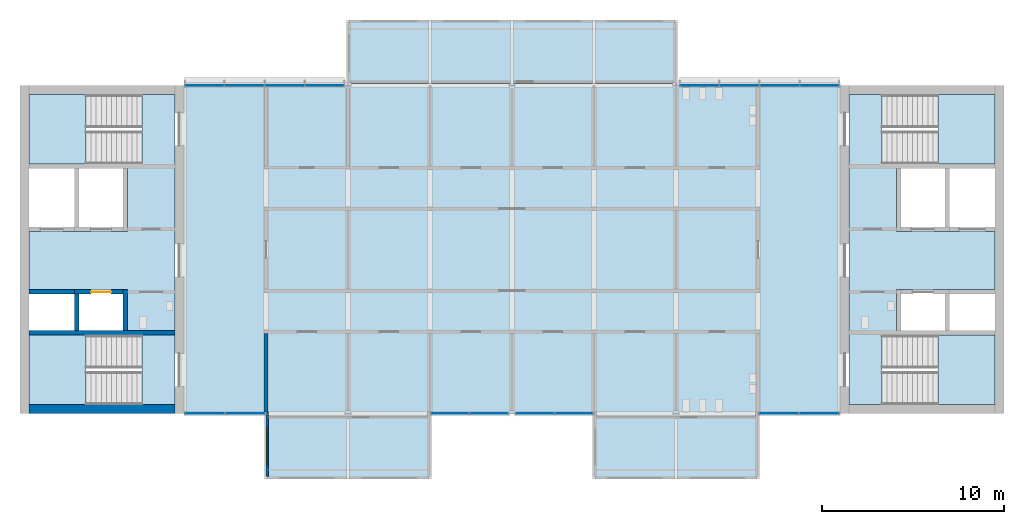
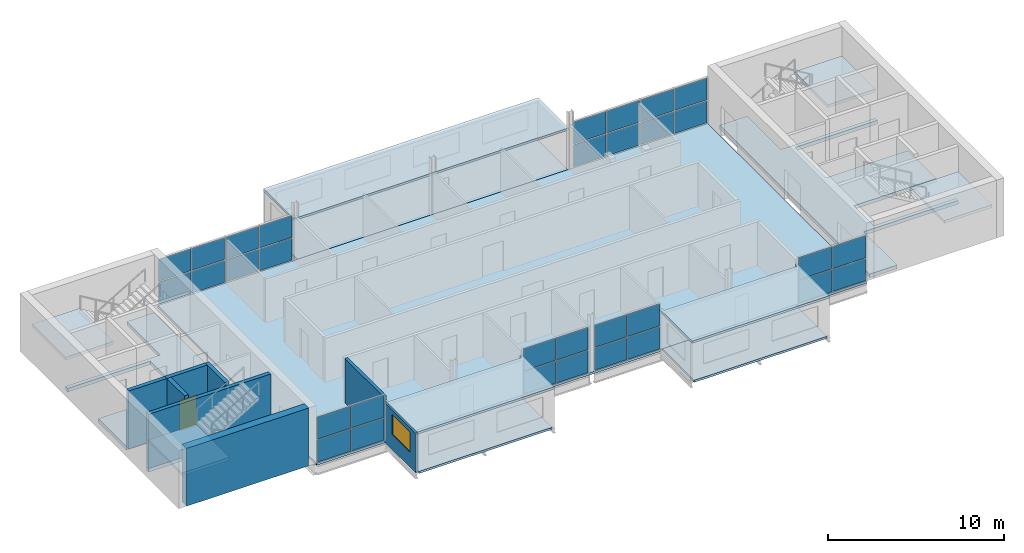
# One storey, part 4 of 10: 32 plates, 13 slabs, 8 walls, 1 door, 1 window, 2 openings, 10 elements without a shape of their own.
"""IFC4 building model written with IfcOpenShell, lengths in metres."""

from ifc_helpers import new_model, si_unit, direction, frame, frame_2d, origin, origin_2d, place, context, subcontext, project, spatial, polyline, rectangle, outline, extrude, material, layer, layer_set, type_object, element, fill, aggregate, save


model = new_model("IFC4")

# Units and contexts
model_context = context("Model", 3, precision=1e-05, world=origin(), true_north=direction((0.0, 1.0)))
body_context = subcontext(model_context, "Body", "Model", "MODEL_VIEW")
ifc_project = project(units=[si_unit("LENGTHUNIT", "METRE"), si_unit("AREAUNIT", "SQUARE_METRE"), si_unit("VOLUMEUNIT", "CUBIC_METRE"), si_unit("PLANEANGLEUNIT", "RADIAN"), si_unit("MASSUNIT", "GRAM", prefix="KILO")], contexts=[model_context])

# Site, building, storey
site_placement = place(None, origin())
site = spatial("IfcSite", under=ifc_project, at=site_placement, CompositionType="ELEMENT")
building_placement = place(site_placement, origin())
building = spatial("IfcBuilding", under=site, at=building_placement, Name="Corbel Yard City Hall", CompositionType="ELEMENT")
storey_placement = place(building_placement, frame((0.0, 0.0, 63.199951171875)))
storey = spatial("IfcBuildingStorey", under=building, at=storey_placement, Name="L15", CompositionType="ELEMENT", Elevation=63.199951171875)

# Slabs
ifc_material_1 = material(Name="Concrete N40 (40 MPa)", Category="concrete")
ifc_layer_1 = layer(ifc_material_1, 0.25)
ifc_layer_set_1 = layer_set([ifc_layer_1], Name="Concrete N40 (40 MPa)")
slab_type_1 = type_object("IfcSlabType", Name="CF1", PredefinedType="FLOOR", material=ifc_layer_set_1)
slab_1_placement = place(storey_placement, frame((0.0, 0.0, -0.25)))
element("IfcSlab", 1, at=slab_1_placement, inside=storey, type_object=slab_type_1, Name="Core floor slab", PredefinedType="FLOOR", context=body_context, shape_type="SweptSolid", body=[
    extrude(outline(polyline([(8.5, 116.5), (6.698974609375, 116.5), (6.698974609375, 112.699951171875), (0.5, 112.699951171875), (0.5, 112.449951171875), (5.89990234375, 112.449951171875), (5.89990234375, 109.0), (0.5, 109.0), (0.5, 105.800048828125), (5.89990234375, 105.800048828125), (5.89990234375, 103.550048828125), (0.5, 103.550048828125), (0.5, 103.300048828125), (6.698974609375, 103.300048828125), (6.698974609375, 99.5), (8.5, 99.5), (8.5, 116.5)])), origin(), (0.0, 0.0, 1.0), 0.25),
])
slab_2_placement = place(storey_placement, frame((0.0, 0.0, -0.25)))
element("IfcSlab", 2, at=slab_2_placement, inside=storey, type_object=slab_type_1, Name="Core floor slab", PredefinedType="FLOOR", context=body_context, shape_type="SweptSolid", body=[
    extrude(outline(polyline([(53.5, 103.300048828125), (53.5, 103.550048828125), (48.10009765625, 103.550048828125), (48.10009765625, 105.800048828125), (53.5, 105.800048828125), (53.5, 109.0), (48.10009765625, 109.0), (48.10009765625, 112.449951171875), (53.5, 112.449951171875), (53.5, 112.699951171875), (47.301025390625, 112.699951171875), (47.301025390625, 116.5), (45.5, 116.5), (45.5, 99.5), (47.301025390625, 99.5), (47.301025390625, 103.300048828125), (53.5, 103.300048828125)])), origin(), (0.0, 0.0, 1.0), 0.25),
])
ifc_layer_2 = layer(ifc_material_1, 0.14990234375)
ifc_layer_set_2 = layer_set([ifc_layer_2], Name="Concrete N40 (40 MPa)")
slab_type_2 = type_object("IfcSlabType", Name="Floor slab 150", PredefinedType="FLOOR", material=ifc_layer_set_2)
slab_3_placement = place(storey_placement, frame((0.0, 0.0, -0.14990234375)))
element("IfcSlab", 3, at=slab_3_placement, inside=storey, type_object=slab_type_2, Name="Tower floor slab L15", PredefinedType="FLOOR", context=body_context, shape_type="SweptSolid", body=[
    extrude(outline(polyline([(45.0, 99.0), (45.0, 117.0), (9.0, 117.0), (9.0, 99.0), (45.0, 99.0)])), origin(), (0.0, 0.0, 1.0), 0.14990234375),
])

# Stair, slab
stair_type = type_object("IfcStairType", Name="ST4", PredefinedType="HALF_TURN_STAIR", material=ifc_material_1)
stair_1_placement = place(storey_placement, origin())
stair_1 = element("IfcStair", 4, at=stair_1_placement, inside=storey, type_object=stair_type, Name="Exit stair ST-W1 L15", PredefinedType="HALF_TURN_STAIR")
ifc_layer_3 = layer(ifc_material_1, 0.199951171875)
ifc_layer_set_3 = layer_set([ifc_layer_3], Name="Concrete N40 (40 MPa)")
slab_type_3 = type_object("IfcSlabType", Name="LN1", PredefinedType="LANDING", material=ifc_layer_set_3)
slab_4_placement = place(storey_placement, frame((0.0, 0.0, 1.800048828125)))
slab_4 = element("IfcSlab", 5, at=slab_4_placement, type_object=slab_type_3, Name="ST-W1 landing 1", PredefinedType="LANDING", context=body_context, shape_type="SweptSolid", body=[
    extrude(outline(polyline([(0.5, 99.5), (3.6201171875, 99.5), (3.6201171875, 103.300048828125), (0.5, 103.300048828125), (0.5, 99.5)])), origin(), (0.0, 0.0, 1.0), 0.199951171875),
])
aggregate(stair_1, [slab_4])

stair_2_placement = place(storey_placement, origin())
stair_2 = element("IfcStair", 6, at=stair_2_placement, inside=storey, type_object=stair_type, Name="Exit stair ST-W2 L15", PredefinedType="HALF_TURN_STAIR")
slab_5_placement = place(storey_placement, frame((0.0, 0.0, 1.800048828125)))
slab_5 = element("IfcSlab", 7, at=slab_5_placement, type_object=slab_type_3, Name="ST-W2 landing 1", PredefinedType="LANDING", context=body_context, shape_type="SweptSolid", body=[
    extrude(outline(polyline([(0.5, 112.699951171875), (3.6201171875, 112.699951171875), (3.6201171875, 116.5), (0.5, 116.5), (0.5, 112.699951171875)])), origin(), (0.0, 0.0, 1.0), 0.199951171875),
])
aggregate(stair_2, [slab_5])

stair_3_placement = place(storey_placement, origin())
stair_3 = element("IfcStair", 8, at=stair_3_placement, inside=storey, type_object=stair_type, Name="Exit stair ST-E1 L15", PredefinedType="HALF_TURN_STAIR")
slab_6_placement = place(storey_placement, frame((0.0, 0.0, 1.800048828125)))
slab_6 = element("IfcSlab", 9, at=slab_6_placement, type_object=slab_type_3, Name="ST-E1 landing 1", PredefinedType="LANDING", context=body_context, shape_type="SweptSolid", body=[
    extrude(outline(polyline([(50.3798828125, 99.5), (53.5, 99.5), (53.5, 103.300048828125), (50.3798828125, 103.300048828125), (50.3798828125, 99.5)])), origin(), (0.0, 0.0, 1.0), 0.199951171875),
])
aggregate(stair_3, [slab_6])

stair_4_placement = place(storey_placement, origin())
stair_4 = element("IfcStair", 10, at=stair_4_placement, inside=storey, type_object=stair_type, Name="Exit stair ST-E2 L15", PredefinedType="HALF_TURN_STAIR")
slab_7_placement = place(storey_placement, frame((0.0, 0.0, 1.800048828125)))
slab_7 = element("IfcSlab", 11, at=slab_7_placement, type_object=slab_type_3, Name="ST-E2 landing 1", PredefinedType="LANDING", context=body_context, shape_type="SweptSolid", body=[
    extrude(outline(polyline([(50.3798828125, 112.699951171875), (53.5, 112.699951171875), (53.5, 116.5), (50.3798828125, 116.5), (50.3798828125, 112.699951171875)])), origin(), (0.0, 0.0, 1.0), 0.199951171875),
])
aggregate(stair_4, [slab_7])

# Slabs
ifc_material_2 = material(Name="Concrete N32 (32 MPa)", Category="concrete")
ifc_layer_4 = layer(ifc_material_2, 0.14990234375)
ifc_layer_set_4 = layer_set([ifc_layer_4], Name="Concrete N32 (32 MPa)")
slab_type_4 = type_object("IfcSlabType", Name="PF1", PredefinedType="FLOOR", material=ifc_layer_set_4)
slab_8_placement = place(storey_placement, frame((0.0, 0.0, -0.14990234375)))
element("IfcSlab", 12, at=slab_8_placement, inside=storey, type_object=slab_type_4, Name="Pod floor slab L15", PredefinedType="FLOOR", context=body_context, shape_type="SweptSolid", body=[
    extrude(outline(polyline([(13.64990234375, 95.39990234375), (22.35009765625, 95.39990234375), (22.35009765625, 99.0), (13.64990234375, 99.0), (13.64990234375, 95.39990234375)])), origin(), (0.0, 0.0, 1.0), 0.14990234375),
])
slab_9_placement = place(storey_placement, frame((0.0, 0.0, -0.14990234375)))
element("IfcSlab", 13, at=slab_9_placement, inside=storey, type_object=slab_type_4, Name="Pod floor slab L15", PredefinedType="FLOOR", context=body_context, shape_type="SweptSolid", body=[
    extrude(outline(polyline([(31.64990234375, 95.39990234375), (40.35009765625, 95.39990234375), (40.35009765625, 99.0), (31.64990234375, 99.0), (31.64990234375, 95.39990234375)])), origin(), (0.0, 0.0, 1.0), 0.14990234375),
])
slab_10_placement = place(storey_placement, frame((0.0, 0.0, -0.14990234375)))
element("IfcSlab", 14, at=slab_10_placement, inside=storey, type_object=slab_type_4, Name="Pod floor slab L15", PredefinedType="FLOOR", context=body_context, shape_type="SweptSolid", body=[
    extrude(outline(polyline([(18.14990234375, 117.0), (35.85009765625, 117.0), (35.85009765625, 120.60009765625), (18.14990234375, 120.60009765625), (18.14990234375, 117.0)])), origin(), (0.0, 0.0, 1.0), 0.14990234375),
])
ifc_layer_5 = layer(ifc_material_2, 0.14990234375)
ifc_layer_set_5 = layer_set([ifc_layer_5], Name="Concrete N32 (32 MPa)")
slab_type_5 = type_object("IfcSlabType", Name="PH1", PredefinedType="ROOF", material=ifc_layer_set_5)
slab_11_placement = place(storey_placement, frame((0.0, 0.0, 2.60009765625)))
element("IfcSlab", 15, at=slab_11_placement, inside=storey, type_object=slab_type_5, Name="Pod roof slab L15", PredefinedType="ROOF", context=body_context, shape_type="SweptSolid", body=[
    extrude(outline(polyline([(13.5, 95.39990234375), (22.5, 95.39990234375), (22.5, 99.074951171875), (22.35009765625, 99.074951171875), (22.35009765625, 98.846435546875), (13.64990234375, 98.846435546875), (13.64990234375, 99.074951171875), (13.5, 99.074951171875), (13.5, 95.39990234375)])), origin(), (0.0, 0.0, 1.0), 0.14990234375),
])
slab_12_placement = place(storey_placement, frame((0.0, 0.0, 2.60009765625)))
element("IfcSlab", 16, at=slab_12_placement, inside=storey, type_object=slab_type_5, Name="Pod roof slab L15", PredefinedType="ROOF", context=body_context, shape_type="SweptSolid", body=[
    extrude(outline(polyline([(31.5, 95.39990234375), (40.5, 95.39990234375), (40.5, 99.074951171875), (40.35009765625, 99.074951171875), (40.35009765625, 98.846435546875), (31.64990234375, 98.846435546875), (31.64990234375, 99.074951171875), (31.5, 99.074951171875), (31.5, 95.39990234375)])), origin(), (0.0, 0.0, 1.0), 0.14990234375),
])
slab_13_placement = place(storey_placement, frame((0.0, 0.0, 2.60009765625)))
element("IfcSlab", 17, at=slab_13_placement, inside=storey, type_object=slab_type_5, Name="Pod roof slab L15", PredefinedType="ROOF", context=body_context, shape_type="SweptSolid", body=[
    extrude(outline(polyline([(18.0, 120.60009765625), (18.0, 117.153564453125), (36.0, 117.153564453125), (36.0, 120.60009765625), (18.0, 120.60009765625)])), origin(), (0.0, 0.0, 1.0), 0.14990234375),
])

# Curtain wall, plates
ifc_material_3 = material(Name="Aluminium extrusion", Category="aluminium")
ifc_layer_6 = layer(ifc_material_3, 0.14990234375)
ifc_layer_set_6 = layer_set([ifc_layer_6], Name="Aluminium extrusion")
curtain_wall_type_1 = type_object("IfcCurtainWallType", Name="CW2", PredefinedType="USERDEFINED", material=ifc_layer_set_6)
curtain_wall_1_placement = place(storey_placement, origin())
curtain_wall_1 = element("IfcCurtainWall", 18, at=curtain_wall_1_placement, inside=storey, type_object=curtain_wall_type_1, Name="Curtain wall CW2 L15", ObjectType="CURTAIN WALL", PredefinedType="USERDEFINED")
ifc_material_4 = material(Name="Double glazed low-e glass unit", Category="glass")
ifc_layer_7 = layer(ifc_material_4, 0.028076171875)
ifc_layer_set_7 = layer_set([ifc_layer_7], Name="Double glazed low-e glass unit")
plate_type_1 = type_object("IfcPlateType", Name="PN2", PredefinedType="CURTAIN_PANEL", material=ifc_layer_set_7)
plate_1_placement = place(storey_placement, frame((10.141357421875, 99.0, 0.06494140625), z_axis=(0.0, 0.0, 1.0), x_axis=(1.0, 0.0, 0.0)))
plate_1 = element("IfcPlate", 19, at=plate_1_placement, type_object=plate_type_1, Name="CW2 panel 1.1", PredefinedType="CURTAIN_PANEL", context=body_context, shape_type="SweptSolid", body=[
    extrude(rectangle(XDim=2.152587890625, YDim=0.028076171875, at=origin_2d()), origin(), (0.0, 0.0, 1.0), 1.521484375),
])
plate_2_placement = place(storey_placement, frame((10.141357421875, 99.0, 1.651611328125), z_axis=(0.0, 0.0, 1.0), x_axis=(1.0, 0.0, 0.0)))
plate_2 = element("IfcPlate", 20, at=plate_2_placement, type_object=plate_type_1, Name="CW2 panel 1.2", PredefinedType="CURTAIN_PANEL", context=body_context, shape_type="SweptSolid", body=[
    extrude(rectangle(XDim=2.152587890625, YDim=0.028076171875, at=origin_2d()), origin(), (0.0, 0.0, 1.0), 1.521484375),
])
plate_3_placement = place(storey_placement, frame((12.358642578125, 99.0, 0.06494140625), z_axis=(0.0, 0.0, 1.0), x_axis=(1.0, 0.0, 0.0)))
plate_3 = element("IfcPlate", 21, at=plate_3_placement, type_object=plate_type_1, Name="CW2 panel 2.1", PredefinedType="CURTAIN_PANEL", context=body_context, shape_type="SweptSolid", body=[
    extrude(rectangle(XDim=2.152587890625, YDim=0.028076171875, at=origin_2d()), origin(), (0.0, 0.0, 1.0), 1.521484375),
])
plate_4_placement = place(storey_placement, frame((12.358642578125, 99.0, 1.651611328125), z_axis=(0.0, 0.0, 1.0), x_axis=(1.0, 0.0, 0.0)))
plate_4 = element("IfcPlate", 22, at=plate_4_placement, type_object=plate_type_1, Name="CW2 panel 2.2", PredefinedType="CURTAIN_PANEL", context=body_context, shape_type="SweptSolid", body=[
    extrude(rectangle(XDim=2.152587890625, YDim=0.028076171875, at=origin_2d()), origin(), (0.0, 0.0, 1.0), 1.521484375),
])
aggregate(curtain_wall_1, [plate_1, plate_2, plate_3, plate_4])

curtain_wall_2_placement = place(storey_placement, origin())
curtain_wall_2 = element("IfcCurtainWall", 23, at=curtain_wall_2_placement, inside=storey, type_object=curtain_wall_type_1, Name="Curtain wall CW2 L15", ObjectType="CURTAIN WALL", PredefinedType="USERDEFINED")
plate_5_placement = place(storey_placement, frame((23.601806640625, 99.0, 0.06494140625), z_axis=(0.0, 0.0, 1.0), x_axis=(1.0, 0.0, 0.0)))
plate_5 = element("IfcPlate", 24, at=plate_5_placement, type_object=plate_type_1, Name="CW2 panel 1.1", PredefinedType="CURTAIN_PANEL", context=body_context, shape_type="SweptSolid", body=[
    extrude(rectangle(XDim=2.07373046875, YDim=0.028076171875, at=origin_2d()), origin(), (0.0, 0.0, 1.0), 1.521484375),
])
plate_6_placement = place(storey_placement, frame((23.601806640625, 99.0, 1.651611328125), z_axis=(0.0, 0.0, 1.0), x_axis=(1.0, 0.0, 0.0)))
plate_6 = element("IfcPlate", 25, at=plate_6_placement, type_object=plate_type_1, Name="CW2 panel 1.2", PredefinedType="CURTAIN_PANEL", context=body_context, shape_type="SweptSolid", body=[
    extrude(rectangle(XDim=2.07373046875, YDim=0.028076171875, at=origin_2d()), origin(), (0.0, 0.0, 1.0), 1.521484375),
])
plate_7_placement = place(storey_placement, frame((25.74072265625, 99.0, 0.06494140625), z_axis=(0.0, 0.0, 1.0), x_axis=(1.0, 0.0, 0.0)))
plate_7 = element("IfcPlate", 26, at=plate_7_placement, type_object=plate_type_1, Name="CW2 panel 2.1", PredefinedType="CURTAIN_PANEL", context=body_context, shape_type="SweptSolid", body=[
    extrude(rectangle(XDim=2.07373046875, YDim=0.028076171875, at=origin_2d()), origin(), (0.0, 0.0, 1.0), 1.521484375),
])
plate_8_placement = place(storey_placement, frame((25.74072265625, 99.0, 1.651611328125), z_axis=(0.0, 0.0, 1.0), x_axis=(1.0, 0.0, 0.0)))
plate_8 = element("IfcPlate", 27, at=plate_8_placement, type_object=plate_type_1, Name="CW2 panel 2.2", PredefinedType="CURTAIN_PANEL", context=body_context, shape_type="SweptSolid", body=[
    extrude(rectangle(XDim=2.07373046875, YDim=0.028076171875, at=origin_2d()), origin(), (0.0, 0.0, 1.0), 1.521484375),
])
aggregate(curtain_wall_2, [plate_5, plate_6, plate_7, plate_8])

curtain_wall_3_placement = place(storey_placement, origin())
curtain_wall_3 = element("IfcCurtainWall", 28, at=curtain_wall_3_placement, inside=storey, type_object=curtain_wall_type_1, Name="Curtain wall CW2 L15", ObjectType="CURTAIN WALL", PredefinedType="USERDEFINED")
plate_9_placement = place(storey_placement, frame((28.25927734375, 99.0, 0.06494140625), z_axis=(0.0, 0.0, 1.0), x_axis=(1.0, 0.0, 0.0)))
plate_9 = element("IfcPlate", 29, at=plate_9_placement, type_object=plate_type_1, Name="CW2 panel 1.1", PredefinedType="CURTAIN_PANEL", context=body_context, shape_type="SweptSolid", body=[
    extrude(rectangle(XDim=2.07373046875, YDim=0.028076171875, at=origin_2d()), origin(), (0.0, 0.0, 1.0), 1.521484375),
])
plate_10_placement = place(storey_placement, frame((28.25927734375, 99.0, 1.651611328125), z_axis=(0.0, 0.0, 1.0), x_axis=(1.0, 0.0, 0.0)))
plate_10 = element("IfcPlate", 30, at=plate_10_placement, type_object=plate_type_1, Name="CW2 panel 1.2", PredefinedType="CURTAIN_PANEL", context=body_context, shape_type="SweptSolid", body=[
    extrude(rectangle(XDim=2.07373046875, YDim=0.028076171875, at=origin_2d()), origin(), (0.0, 0.0, 1.0), 1.521484375),
])
plate_11_placement = place(storey_placement, frame((30.398193359375, 99.0, 0.06494140625), z_axis=(0.0, 0.0, 1.0), x_axis=(1.0, 0.0, 0.0)))
plate_11 = element("IfcPlate", 31, at=plate_11_placement, type_object=plate_type_1, Name="CW2 panel 2.1", PredefinedType="CURTAIN_PANEL", context=body_context, shape_type="SweptSolid", body=[
    extrude(rectangle(XDim=2.07373046875, YDim=0.028076171875, at=origin_2d()), origin(), (0.0, 0.0, 1.0), 1.521484375),
])
plate_12_placement = place(storey_placement, frame((30.398193359375, 99.0, 1.651611328125), z_axis=(0.0, 0.0, 1.0), x_axis=(1.0, 0.0, 0.0)))
plate_12 = element("IfcPlate", 32, at=plate_12_placement, type_object=plate_type_1, Name="CW2 panel 2.2", PredefinedType="CURTAIN_PANEL", context=body_context, shape_type="SweptSolid", body=[
    extrude(rectangle(XDim=2.07373046875, YDim=0.028076171875, at=origin_2d()), origin(), (0.0, 0.0, 1.0), 1.521484375),
])
aggregate(curtain_wall_3, [plate_9, plate_10, plate_11, plate_12])

curtain_wall_4_placement = place(storey_placement, origin())
curtain_wall_4 = element("IfcCurtainWall", 33, at=curtain_wall_4_placement, inside=storey, type_object=curtain_wall_type_1, Name="Curtain wall CW2 L15", ObjectType="CURTAIN WALL", PredefinedType="USERDEFINED")
plate_13_placement = place(storey_placement, frame((41.641357421875, 99.0, 0.06494140625), z_axis=(0.0, 0.0, 1.0), x_axis=(1.0, 0.0, 0.0)))
plate_13 = element("IfcPlate", 34, at=plate_13_placement, type_object=plate_type_1, Name="CW2 panel 1.1", PredefinedType="CURTAIN_PANEL", context=body_context, shape_type="SweptSolid", body=[
    extrude(rectangle(XDim=2.152587890625, YDim=0.028076171875, at=origin_2d()), origin(), (0.0, 0.0, 1.0), 1.521484375),
])
plate_14_placement = place(storey_placement, frame((41.641357421875, 99.0, 1.651611328125), z_axis=(0.0, 0.0, 1.0), x_axis=(1.0, 0.0, 0.0)))
plate_14 = element("IfcPlate", 35, at=plate_14_placement, type_object=plate_type_1, Name="CW2 panel 1.2", PredefinedType="CURTAIN_PANEL", context=body_context, shape_type="SweptSolid", body=[
    extrude(rectangle(XDim=2.152587890625, YDim=0.028076171875, at=origin_2d()), origin(), (0.0, 0.0, 1.0), 1.521484375),
])
plate_15_placement = place(storey_placement, frame((43.858642578125, 99.0, 0.06494140625), z_axis=(0.0, 0.0, 1.0), x_axis=(1.0, 0.0, 0.0)))
plate_15 = element("IfcPlate", 36, at=plate_15_placement, type_object=plate_type_1, Name="CW2 panel 2.1", PredefinedType="CURTAIN_PANEL", context=body_context, shape_type="SweptSolid", body=[
    extrude(rectangle(XDim=2.152587890625, YDim=0.028076171875, at=origin_2d()), origin(), (0.0, 0.0, 1.0), 1.521484375),
])
plate_16_placement = place(storey_placement, frame((43.858642578125, 99.0, 1.651611328125), z_axis=(0.0, 0.0, 1.0), x_axis=(1.0, 0.0, 0.0)))
plate_16 = element("IfcPlate", 37, at=plate_16_placement, type_object=plate_type_1, Name="CW2 panel 2.2", PredefinedType="CURTAIN_PANEL", context=body_context, shape_type="SweptSolid", body=[
    extrude(rectangle(XDim=2.152587890625, YDim=0.028076171875, at=origin_2d()), origin(), (0.0, 0.0, 1.0), 1.521484375),
])
aggregate(curtain_wall_4, [plate_13, plate_14, plate_15, plate_16])

ifc_layer_8 = layer(ifc_material_3, 0.179931640625)
ifc_layer_set_8 = layer_set([ifc_layer_8], Name="Aluminium extrusion")
curtain_wall_type_2 = type_object("IfcCurtainWallType", Name="CW6", PredefinedType="USERDEFINED", material=ifc_layer_set_8)
curtain_wall_5_placement = place(storey_placement, origin())
curtain_wall_5 = element("IfcCurtainWall", 38, at=curtain_wall_5_placement, inside=storey, type_object=curtain_wall_type_2, Name="Curtain wall CW6 L15", ObjectType="CURTAIN WALL", PredefinedType="USERDEFINED")
ifc_material_5 = material(Name="Double glazed low-e glass unit, ceramic fritted", Category="glass")
ifc_layer_9 = layer(ifc_material_5, 0.02392578125)
ifc_layer_set_9 = layer_set([ifc_layer_9], Name="Double glazed low-e glass unit, ceramic fritted")
plate_type_2 = type_object("IfcPlateType", Name="PN7", PredefinedType="CURTAIN_PANEL", material=ifc_layer_set_9)
plate_17_placement = place(storey_placement, frame((10.12158203125, 117.0, 0.06494140625), z_axis=(0.0, 0.0, 1.0), x_axis=(1.0, 0.0, 0.0)))
plate_17 = element("IfcPlate", 39, at=plate_17_placement, type_object=plate_type_2, Name="CW6 panel 1.1", PredefinedType="CURTAIN_PANEL", context=body_context, shape_type="SweptSolid", body=[
    extrude(rectangle(XDim=2.113037109375, YDim=0.02392578125, at=origin_2d()), origin(), (0.0, 0.0, 1.0), 1.521484375),
])
plate_18_placement = place(storey_placement, frame((10.12158203125, 117.0, 1.651611328125), z_axis=(0.0, 0.0, 1.0), x_axis=(1.0, 0.0, 0.0)))
plate_18 = element("IfcPlate", 40, at=plate_18_placement, type_object=plate_type_2, Name="CW6 panel 1.2", PredefinedType="CURTAIN_PANEL", context=body_context, shape_type="SweptSolid", body=[
    extrude(rectangle(XDim=2.113037109375, YDim=0.02392578125, at=origin_2d()), origin(), (0.0, 0.0, 1.0), 1.521484375),
])
plate_19_placement = place(storey_placement, frame((12.31591796875, 117.0, 0.06494140625), z_axis=(0.0, 0.0, 1.0), x_axis=(1.0, 0.0, 0.0)))
plate_19 = element("IfcPlate", 41, at=plate_19_placement, type_object=plate_type_2, Name="CW6 panel 2.1", PredefinedType="CURTAIN_PANEL", context=body_context, shape_type="SweptSolid", body=[
    extrude(rectangle(XDim=2.1455078125, YDim=0.02392578125, at=origin_2d()), origin(), (0.0, 0.0, 1.0), 1.521484375),
])
plate_20_placement = place(storey_placement, frame((12.31591796875, 117.0, 1.651611328125), z_axis=(0.0, 0.0, 1.0), x_axis=(1.0, 0.0, 0.0)))
plate_20 = element("IfcPlate", 42, at=plate_20_placement, type_object=plate_type_2, Name="CW6 panel 2.2", PredefinedType="CURTAIN_PANEL", context=body_context, shape_type="SweptSolid", body=[
    extrude(rectangle(XDim=2.1455078125, YDim=0.02392578125, at=origin_2d()), origin(), (0.0, 0.0, 1.0), 1.521484375),
])
plate_21_placement = place(storey_placement, frame((14.526611328125, 117.0, 0.06494140625), z_axis=(0.0, 0.0, 1.0), x_axis=(1.0, 0.0, 0.0)))
plate_21 = element("IfcPlate", 43, at=plate_21_placement, type_object=plate_type_2, Name="CW6 panel 3.1", PredefinedType="CURTAIN_PANEL", context=body_context, shape_type="SweptSolid", body=[
    extrude(rectangle(XDim=2.1455078125, YDim=0.02392578125, at=origin_2d()), origin(), (0.0, 0.0, 1.0), 1.521484375),
])
plate_22_placement = place(storey_placement, frame((14.526611328125, 117.0, 1.651611328125), z_axis=(0.0, 0.0, 1.0), x_axis=(1.0, 0.0, 0.0)))
plate_22 = element("IfcPlate", 44, at=plate_22_placement, type_object=plate_type_2, Name="CW6 panel 3.2", PredefinedType="CURTAIN_PANEL", context=body_context, shape_type="SweptSolid", body=[
    extrude(rectangle(XDim=2.1455078125, YDim=0.02392578125, at=origin_2d()), origin(), (0.0, 0.0, 1.0), 1.521484375),
])
plate_23_placement = place(storey_placement, frame((16.720947265625, 117.0, 0.06494140625), z_axis=(0.0, 0.0, 1.0), x_axis=(1.0, 0.0, 0.0)))
plate_23 = element("IfcPlate", 45, at=plate_23_placement, type_object=plate_type_2, Name="CW6 panel 4.1", PredefinedType="CURTAIN_PANEL", context=body_context, shape_type="SweptSolid", body=[
    extrude(rectangle(XDim=2.113037109375, YDim=0.02392578125, at=origin_2d()), origin(), (0.0, 0.0, 1.0), 1.521484375),
])
plate_24_placement = place(storey_placement, frame((16.720947265625, 117.0, 1.651611328125), z_axis=(0.0, 0.0, 1.0), x_axis=(1.0, 0.0, 0.0)))
plate_24 = element("IfcPlate", 46, at=plate_24_placement, type_object=plate_type_2, Name="CW6 panel 4.2", PredefinedType="CURTAIN_PANEL", context=body_context, shape_type="SweptSolid", body=[
    extrude(rectangle(XDim=2.113037109375, YDim=0.02392578125, at=origin_2d()), origin(), (0.0, 0.0, 1.0), 1.521484375),
])
aggregate(curtain_wall_5, [plate_17, plate_18, plate_19, plate_20, plate_21, plate_22, plate_23, plate_24])

curtain_wall_6_placement = place(storey_placement, origin())
curtain_wall_6 = element("IfcCurtainWall", 47, at=curtain_wall_6_placement, inside=storey, type_object=curtain_wall_type_2, Name="Curtain wall CW6 L15", ObjectType="CURTAIN WALL", PredefinedType="USERDEFINED")
plate_25_placement = place(storey_placement, frame((37.279052734375, 117.0, 0.06494140625), z_axis=(0.0, 0.0, 1.0), x_axis=(1.0, 0.0, 0.0)))
plate_25 = element("IfcPlate", 48, at=plate_25_placement, type_object=plate_type_2, Name="CW6 panel 1.1", PredefinedType="CURTAIN_PANEL", context=body_context, shape_type="SweptSolid", body=[
    extrude(rectangle(XDim=2.113037109375, YDim=0.02392578125, at=origin_2d()), origin(), (0.0, 0.0, 1.0), 1.521484375),
])
plate_26_placement = place(storey_placement, frame((37.279052734375, 117.0, 1.651611328125), z_axis=(0.0, 0.0, 1.0), x_axis=(1.0, 0.0, 0.0)))
plate_26 = element("IfcPlate", 49, at=plate_26_placement, type_object=plate_type_2, Name="CW6 panel 1.2", PredefinedType="CURTAIN_PANEL", context=body_context, shape_type="SweptSolid", body=[
    extrude(rectangle(XDim=2.113037109375, YDim=0.02392578125, at=origin_2d()), origin(), (0.0, 0.0, 1.0), 1.521484375),
])
plate_27_placement = place(storey_placement, frame((39.473388671875, 117.0, 0.06494140625), z_axis=(0.0, 0.0, 1.0), x_axis=(1.0, 0.0, 0.0)))
plate_27 = element("IfcPlate", 50, at=plate_27_placement, type_object=plate_type_2, Name="CW6 panel 2.1", PredefinedType="CURTAIN_PANEL", context=body_context, shape_type="SweptSolid", body=[
    extrude(rectangle(XDim=2.1455078125, YDim=0.02392578125, at=origin_2d()), origin(), (0.0, 0.0, 1.0), 1.521484375),
])
plate_28_placement = place(storey_placement, frame((39.473388671875, 117.0, 1.651611328125), z_axis=(0.0, 0.0, 1.0), x_axis=(1.0, 0.0, 0.0)))
plate_28 = element("IfcPlate", 51, at=plate_28_placement, type_object=plate_type_2, Name="CW6 panel 2.2", PredefinedType="CURTAIN_PANEL", context=body_context, shape_type="SweptSolid", body=[
    extrude(rectangle(XDim=2.1455078125, YDim=0.02392578125, at=origin_2d()), origin(), (0.0, 0.0, 1.0), 1.521484375),
])
plate_29_placement = place(storey_placement, frame((41.68408203125, 117.0, 0.06494140625), z_axis=(0.0, 0.0, 1.0), x_axis=(1.0, 0.0, 0.0)))
plate_29 = element("IfcPlate", 52, at=plate_29_placement, type_object=plate_type_2, Name="CW6 panel 3.1", PredefinedType="CURTAIN_PANEL", context=body_context, shape_type="SweptSolid", body=[
    extrude(rectangle(XDim=2.1455078125, YDim=0.02392578125, at=origin_2d()), origin(), (0.0, 0.0, 1.0), 1.521484375),
])
plate_30_placement = place(storey_placement, frame((41.68408203125, 117.0, 1.651611328125), z_axis=(0.0, 0.0, 1.0), x_axis=(1.0, 0.0, 0.0)))
plate_30 = element("IfcPlate", 53, at=plate_30_placement, type_object=plate_type_2, Name="CW6 panel 3.2", PredefinedType="CURTAIN_PANEL", context=body_context, shape_type="SweptSolid", body=[
    extrude(rectangle(XDim=2.1455078125, YDim=0.02392578125, at=origin_2d()), origin(), (0.0, 0.0, 1.0), 1.521484375),
])
plate_31_placement = place(storey_placement, frame((43.87841796875, 117.0, 0.06494140625), z_axis=(0.0, 0.0, 1.0), x_axis=(1.0, 0.0, 0.0)))
plate_31 = element("IfcPlate", 54, at=plate_31_placement, type_object=plate_type_2, Name="CW6 panel 4.1", PredefinedType="CURTAIN_PANEL", context=body_context, shape_type="SweptSolid", body=[
    extrude(rectangle(XDim=2.113037109375, YDim=0.02392578125, at=origin_2d()), origin(), (0.0, 0.0, 1.0), 1.521484375),
])
plate_32_placement = place(storey_placement, frame((43.87841796875, 117.0, 1.651611328125), z_axis=(0.0, 0.0, 1.0), x_axis=(1.0, 0.0, 0.0)))
plate_32 = element("IfcPlate", 55, at=plate_32_placement, type_object=plate_type_2, Name="CW6 panel 4.2", PredefinedType="CURTAIN_PANEL", context=body_context, shape_type="SweptSolid", body=[
    extrude(rectangle(XDim=2.113037109375, YDim=0.02392578125, at=origin_2d()), origin(), (0.0, 0.0, 1.0), 1.521484375),
])
aggregate(curtain_wall_6, [plate_25, plate_26, plate_27, plate_28, plate_29, plate_30, plate_31, plate_32])

# Walls
ifc_layer_10 = layer(ifc_material_1, 0.25)
ifc_layer_set_10 = layer_set([ifc_layer_10], Name="Concrete N40 (40 MPa)")
wall_type_1 = type_object("IfcWallType", Name="IW2", PredefinedType="SOLIDWALL", material=ifc_layer_set_10)
wall_1_placement = place(storey_placement, frame((8.5, 103.425048828125, 0.0), z_axis=(0.0, 0.0, 1.0), x_axis=(-1.0, 0.0, 0.0)))
element("IfcWall", 56, at=wall_1_placement, inside=storey, type_object=wall_type_1, Name="Stair enclosure wall", PredefinedType="SOLIDWALL", context=body_context, shape_type="SweptSolid", body=[
    extrude(rectangle(XDim=8.0, YDim=0.25, at=frame_2d((4.0, 0.0))), origin(), (0.0, 0.0, 1.0), 3.75),
])
wall_2_placement = place(storey_placement, frame((5.77490234375, 103.550048828125, 0.0), z_axis=(0.0, 0.0, 1.0), x_axis=(0.0, 1.0, 0.0)))
element("IfcWall", 57, at=wall_2_placement, inside=storey, type_object=wall_type_1, Name="Lift LP22 shaft wall", PredefinedType="SOLIDWALL", context=body_context, shape_type="SweptSolid", body=[
    extrude(rectangle(XDim=2.25, YDim=0.25, at=frame_2d((1.125, 0.0))), origin(), (0.0, 0.0, 1.0), 4.0),
])
wall_3_placement = place(storey_placement, frame((3.125, 103.550048828125, 0.0), z_axis=(0.0, 0.0, 1.0), x_axis=(0.0, 1.0, 0.0)))
element("IfcWall", 58, at=wall_3_placement, inside=storey, type_object=wall_type_1, Name="Lift LP22 shaft wall", PredefinedType="SOLIDWALL", context=body_context, shape_type="SweptSolid", body=[
    extrude(rectangle(XDim=2.0, YDim=0.25, at=frame_2d((1.0, 0.0))), origin(), (0.0, 0.0, 1.0), 4.0),
])

# Wall, opening, door
wall_4_placement = place(storey_placement, frame((5.64990234375, 105.675048828125, 0.0), z_axis=(0.0, 0.0, 1.0), x_axis=(-1.0, 0.0, 0.0)))
wall_4 = element("IfcWall", 59, at=wall_4_placement, inside=storey, type_object=wall_type_1, Name="Lift LP22 shaft wall", PredefinedType="SOLIDWALL", context=body_context, shape_type="SweptSolid", body=[
    extrude(rectangle(XDim=2.64990234375, YDim=0.25, at=frame_2d((1.324951171875, 0.0))), origin(), (0.0, 0.0, 1.0), 4.0),
])
opening_1_placement = place(wall_4_placement, frame((0.64990234375, 0.0, 0.0)))
opening_1 = element("IfcOpeningElement", 60, at=opening_1_placement, cuts=wall_4, Name="Opening T4-004", PredefinedType="OPENING", context=body_context, shape_type="SweptSolid", body=[
    extrude(rectangle(XDim=1.10009765625, YDim=2.10009765625, at=frame_2d((0.550048828125, 1.050048828125))), frame((0.0, 0.135009765625, 0.0), z_axis=(0.0, -1.0, 0.0), x_axis=(1.0, 0.0, 0.0)), (0.0, 0.0, 1.0), 0.27001953125),
])
ifc_material_6 = material(Name="Stainless steel Grade 316", Category="steel")
door_type = type_object("IfcDoorType", Name="LD1", OperationType="DOUBLE_DOOR_SLIDING", PredefinedType="DOOR", material=ifc_material_6)
door_placement = place(opening_1_placement, origin())
door = element("IfcDoor", 61, at=door_placement, inside=storey, type_object=door_type, Name="Lift LP22 landing door", OperationType="DOUBLE_DOOR_SLIDING", OverallHeight=2.10009765625, OverallWidth=1.10009765625, PredefinedType="DOOR", context=body_context, shape_type="SweptSolid", body=[
    extrude(rectangle(XDim=1.10009765625, YDim=2.10009765625, at=frame_2d((0.550048828125, 1.050048828125))), frame((0.0, 0.02490234375, 0.0), z_axis=(0.0, -1.0, 0.0), x_axis=(1.0, 0.0, 0.0)), (0.0, 0.0, 1.0), 0.050048828125),
])
fill(opening_1, door)

# Wall
wall_5_placement = place(storey_placement, frame((3.0, 105.675048828125, 0.0), z_axis=(0.0, 0.0, 1.0), x_axis=(-1.0, 0.0, 0.0)))
element("IfcWall", 62, at=wall_5_placement, inside=storey, type_object=wall_type_1, Name="Lift LP23 shaft wall", PredefinedType="SOLIDWALL", context=body_context, shape_type="SweptSolid", body=[
    extrude(rectangle(XDim=2.5, YDim=0.25, at=frame_2d((1.25, 0.0))), origin(), (0.0, 0.0, 1.0), 4.0),
])

# Wall, opening, window
ifc_material_7 = material(Name="Anodised aluminium", Category="aluminium")
ifc_layer_11 = layer(ifc_material_7, 0.02392578125)
ifc_material_8 = material(Name="Steel Grade G550 (550 MPa yield)", Category="steel")
ifc_layer_12 = layer(ifc_material_8, 0.10009765625)
ifc_material_9 = material(Name="Gypsum plasterboard", Category="gypsum")
ifc_layer_13 = layer(ifc_material_9, 0.02587890625)
ifc_layer_set_11 = layer_set([ifc_layer_11, ifc_layer_12, ifc_layer_13], Name="Steel Grade G550 (550 MPa yield)")
wall_type_2 = type_object("IfcWallType", Name="PD3", PredefinedType="SOLIDWALL", material=ifc_layer_set_11)
wall_6_placement = place(storey_placement, frame((13.574951171875, 95.550048828125, -0.14990234375), z_axis=(0.0, 0.0, 1.0), x_axis=(0.0, 1.0, 0.0)))
wall_6 = element("IfcWall", 63, at=wall_6_placement, inside=storey, type_object=wall_type_2, Name="Pod side wall L15", PredefinedType="SOLIDWALL", context=body_context, shape_type="SweptSolid", body=[
    extrude(rectangle(XDim=3.52490234375, YDim=0.14990234375, at=frame_2d((1.762451171875, 0.0))), origin(), (0.0, 0.0, 1.0), 2.75),
])
opening_2_placement = place(wall_6_placement, frame((0.648193359375, 0.0, 1.050048828125)))
opening_2 = element("IfcOpeningElement", 64, at=opening_2_placement, cuts=wall_6, Name="Opening WN6", PredefinedType="OPENING", context=body_context, shape_type="SweptSolid", body=[
    extrude(rectangle(XDim=2.0, YDim=1.39990234375, at=frame_2d((1.0, 0.699951171875))), frame((0.0, 0.0849609375, 0.0), z_axis=(0.0, -1.0, 0.0), x_axis=(1.0, 0.0, 0.0)), (0.0, 0.0, 1.0), 0.169921875),
])
ifc_material_10 = material(Name="Aluminium frame, double glazed low-e glass", Category="aluminium")
window_type = type_object("IfcWindowType", Name="WN6", PartitioningType="SINGLE_PANEL", PredefinedType="WINDOW", material=ifc_material_10)
window_placement = place(opening_2_placement, origin())
window = element("IfcWindow", 65, at=window_placement, inside=storey, type_object=window_type, Name="Window WN6 L15", OverallHeight=1.39990234375, OverallWidth=2.0, PartitioningType="SINGLE_PANEL", PredefinedType="WINDOW", context=body_context, shape_type="SweptSolid", body=[
    extrude(rectangle(XDim=2.0, YDim=1.39990234375, at=frame_2d((1.0, 0.699951171875))), frame((0.0, 0.030029296875, 0.0), z_axis=(0.0, -1.0, 0.0), x_axis=(1.0, 0.0, 0.0)), (0.0, 0.0, 1.0), 0.06005859375),
])
fill(opening_2, window)

# Walls
ifc_layer_14 = layer(ifc_material_9, 0.031982421875)
ifc_layer_15 = layer(ifc_material_8, 0.135986328125)
ifc_layer_16 = layer(ifc_material_9, 0.031982421875)
ifc_layer_set_12 = layer_set([ifc_layer_14, ifc_layer_15, ifc_layer_16], Name="Steel Grade G550 (550 MPa yield)")
wall_type_3 = type_object("IfcWallType", Name="PT2", PredefinedType="PARTITIONING", material=ifc_layer_set_12)
wall_7_placement = place(storey_placement, frame((13.5, 99.074951171875, 0.0), z_axis=(0.0, 0.0, 1.0), x_axis=(0.0, 1.0, 0.0)))
element("IfcWall", 66, at=wall_7_placement, inside=storey, type_object=wall_type_3, Name="Acoustic wall", PredefinedType="PARTITIONING", context=body_context, shape_type="SweptSolid", body=[
    extrude(rectangle(XDim=4.324951171875, YDim=0.199951171875, at=frame_2d((2.16259765625, 0.0))), origin(), (0.0, 0.0, 1.0), 3.050048828125),
])
ifc_material_11 = material(Name="Concrete N50 (50 MPa)", Category="concrete")
ifc_layer_17 = layer(ifc_material_11, 0.5)
ifc_layer_set_13 = layer_set([ifc_layer_17], Name="Concrete N50 (50 MPa)")
wall_type_4 = type_object("IfcWallType", Name="Trunk wall 500", PredefinedType="SHEAR", material=ifc_layer_set_13)
wall_8_placement = place(storey_placement, frame((0.5, 99.25, 0.0), z_axis=(0.0, 0.0, 1.0), x_axis=(1.0, 0.0, 0.0)))
element("IfcWall", 67, at=wall_8_placement, inside=storey, type_object=wall_type_4, Name="Trunk W south wall", PredefinedType="SHEAR", context=body_context, shape_type="SweptSolid", body=[
    extrude(rectangle(XDim=8.0, YDim=0.5, at=frame_2d((4.0, 0.0))), origin(), (0.0, 0.0, 1.0), 4.0),
])

save(model, "model.ifc")
